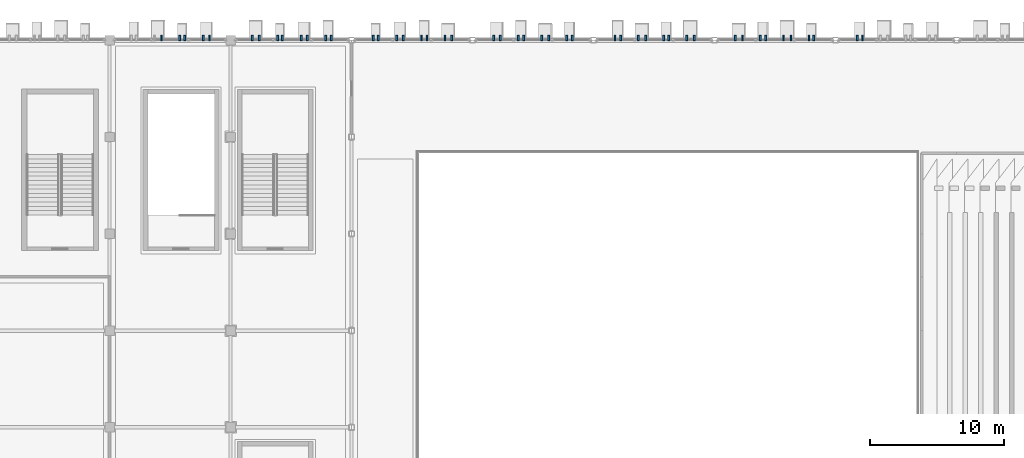
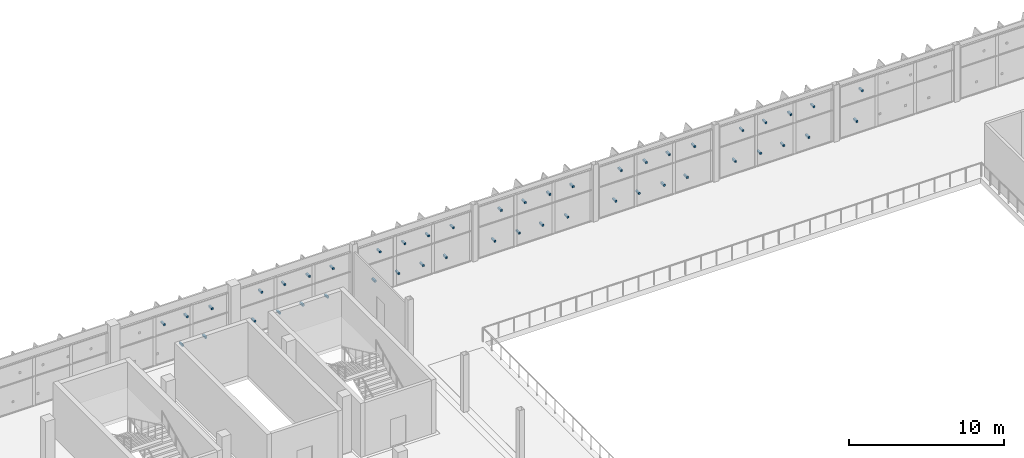
# One storey, part 127 of 151: 47 discrete accessories.
"""IFC4 building model written with IfcOpenShell, lengths in metres."""

from ifc_helpers import new_model, si_unit, direction, frame, origin, origin_2d, place, context, subcontext, project, spatial, rectangle, extrude, material, type_object, element, save


model = new_model("IFC4")

# Units and contexts
model_context = context("Model", 3, precision=1e-05, world=origin(), true_north=direction((0.0, 1.0)))
body_context = subcontext(model_context, "Body", "Model", "MODEL_VIEW")
ifc_project = project(units=[si_unit("LENGTHUNIT", "METRE"), si_unit("AREAUNIT", "SQUARE_METRE"), si_unit("VOLUMEUNIT", "CUBIC_METRE"), si_unit("PLANEANGLEUNIT", "RADIAN"), si_unit("MASSUNIT", "GRAM", prefix="KILO")], contexts=[model_context])

# Site, building, storey
site_placement = place(None, origin())
site = spatial("IfcSite", under=ifc_project, at=site_placement, CompositionType="ELEMENT")
building_placement = place(site_placement, origin())
building = spatial("IfcBuilding", under=site, at=building_placement, Name="Celestram Park Convention Centre", CompositionType="ELEMENT")
storey_placement = place(building_placement, frame((0.0, 0.0, 10.800048828125)))
storey = spatial("IfcBuildingStorey", under=building, at=storey_placement, Name="L02", CompositionType="ELEMENT", Elevation=10.800048828125)

# Discrete accessories
ifc_material = material(Name="Steel ASTM A500 Grade C", Category="steel")
discrete_accessory_type = type_object("IfcDiscreteAccessoryType", Name="ARC-BRK-OUT400", PredefinedType="BRACKET", material=ifc_material)
for number, where, z_axis, x_axis, name in (
    (1, (138.859375, 165.75, 2.93310546875), (0.0, 0.0, 1.0), (0.0, 1.0, 0.0), "Solar fin outrigger bracket BK-L02-0994"),
    (2, (140.22607421875, 165.75, 0.8037109375), (0.0, 0.0, 1.0), (0.0, 1.0, 0.0), "Solar fin outrigger bracket BK-L02-0995"),
    (3, (140.573974609375, 165.75, 2.95068359375), (0.0, 0.0, 1.0), (0.0, 1.0, 0.0), "Solar fin outrigger bracket BK-L02-0996"),
    (4, (141.971923828125, 165.75, 0.8134765625), (0.0, 0.0, 1.0), (0.0, 1.0, 0.0), "Solar fin outrigger bracket BK-L02-0997"),
    (5, (142.427978515625, 165.75, 2.9404296875), (0.0, 0.0, 1.0), (0.0, 1.0, 0.0), "Solar fin outrigger bracket BK-L02-0998"),
    (6, (145.615478515625, 165.75, 0.82080078125), (0.0, 0.0, 1.0), (0.0, 1.0, 0.0), "Solar fin outrigger bracket BK-L02-0999"),
    (7, (146.134521484375, 165.75, 2.93310546875), (0.0, 0.0, 1.0), (0.0, 1.0, 0.0), "Solar fin outrigger bracket BK-L02-1000"),
    (8, (147.501220703125, 165.75, 0.8037109375), (0.0, 0.0, 1.0), (0.0, 1.0, 0.0), "Solar fin outrigger bracket BK-L02-1001"),
    (9, (147.848876953125, 165.75, 2.95068359375), (0.0, 0.0, 1.0), (0.0, 1.0, 0.0), "Solar fin outrigger bracket BK-L02-1002"),
    (10, (149.2470703125, 165.75, 0.8134765625), (0.0, 0.0, 1.0), (0.0, 1.0, 0.0), "Solar fin outrigger bracket BK-L02-1003"),
    (11, (149.702880859375, 165.75, 2.9404296875), (0.0, 0.0, 1.0), (0.0, 1.0, 0.0), "Solar fin outrigger bracket BK-L02-1004"),
    (12, (151.07861328125, 165.75, 0.80712890625), (0.0, 0.0, 1.0), (0.0, 1.0, 0.0), "Solar fin outrigger bracket BK-L02-1005"),
    (13, (151.47119140625, 165.75, 2.94677734375), (0.0, 0.0, 1.0), (0.0, 1.0, 0.0), "Solar fin outrigger bracket BK-L02-1006"),
    (14, (154.621337890625, 165.75, 0.8271484375), (0.0, 0.0, 1.0), (0.0, 1.0, 0.0), "Solar fin outrigger bracket BK-L02-1007"),
    (15, (154.978515625, 165.75, 3.03271484375), (0.0, 0.0, 1.0), (0.0, 1.0, 0.0), "Solar fin outrigger bracket BK-L02-1008"),
    (16, (156.36572265625, 165.75, 0.83740234375), (0.0, 0.0, 1.0), (0.0, 1.0, 0.0), "Solar fin outrigger bracket BK-L02-1009"),
    (17, (156.834228515625, 165.75, 3.0224609375), (0.0, 0.0, 1.0), (0.0, 1.0, 0.0), "Solar fin outrigger bracket BK-L02-1010"),
    (18, (158.1982421875, 165.75, 0.8310546875), (0.0, 0.0, 1.0), (0.0, 1.0, 0.0), "Solar fin outrigger bracket BK-L02-1011"),
    (19, (158.601806640625, 165.75, 3.02880859375), (0.0, 0.0, 1.0), (0.0, 1.0, 0.0), "Solar fin outrigger bracket BK-L02-1012"),
    (20, (159.941162109375, 165.75, 0.84326171875), (0.0, 0.0, 1.0), (0.0, 1.0, 0.0), "Solar fin outrigger bracket BK-L02-1013"),
    (21, (160.458984375, 165.75, 3.0166015625), (0.0, 0.0, 1.0), (0.0, 1.0, 0.0), "Solar fin outrigger bracket BK-L02-1014"),
    (22, (163.557373046875, 165.75, 0.8701171875), (0.0, 0.0, 1.0), (0.0, 1.0, 0.0), "Solar fin outrigger bracket BK-L02-1015"),
    (23, (164.04248046875, 165.75, 3.1337890625), (0.0, 0.0, 1.0), (0.0, 1.0, 0.0), "Solar fin outrigger bracket BK-L02-1016"),
    (24, (165.39111328125, 165.75, 0.86328125), (0.0, 0.0, 1.0), (0.0, 1.0, 0.0), "Solar fin outrigger bracket BK-L02-1017"),
    (25, (165.80908203125, 165.75, 3.140625), (0.0, 0.0, 1.0), (0.0, 1.0, 0.0), "Solar fin outrigger bracket BK-L02-1018"),
    (26, (167.131591796875, 165.75, 0.8759765625), (0.0, 0.0, 1.0), (0.0, 1.0, 0.0), "Solar fin outrigger bracket BK-L02-1019"),
    (27, (167.668212890625, 165.75, 3.1279296875), (0.0, 0.0, 1.0), (0.0, 1.0, 0.0), "Solar fin outrigger bracket BK-L02-1020"),
    (28, (169.0029296875, 165.75, 0.861328125), (0.0, 0.0, 1.0), (0.0, 1.0, 0.0), "Solar fin outrigger bracket BK-L02-1021"),
    (29, (169.39697265625, 165.75, 3.142578125), (0.0, 0.0, 1.0), (0.0, 1.0, 0.0), "Solar fin outrigger bracket BK-L02-1022"),
    (30, (172.591064453125, 165.75, 0.86328125), (0.0, 0.0, 1.0), (0.0, 1.0, 0.0), "Solar fin outrigger bracket BK-L02-1023"),
    (31, (173.009033203125, 165.75, 3.140625), (0.0, 0.0, 1.0), (0.0, 1.0, 0.0), "Solar fin outrigger bracket BK-L02-1024"),
    (32, (174.331787109375, 165.75, 0.8759765625), (0.0, 0.0, 1.0), (0.0, 1.0, 0.0), "Solar fin outrigger bracket BK-L02-1025"),
    (33, (174.868408203125, 165.75, 3.1279296875), (0.0, 0.0, 1.0), (0.0, 1.0, 0.0), "Solar fin outrigger bracket BK-L02-1026"),
    (34, (176.202880859375, 165.75, 0.861328125), (0.0, 0.0, 1.0), (0.0, 1.0, 0.0), "Solar fin outrigger bracket BK-L02-1027"),
    (35, (176.596923828125, 165.75, 3.142578125), (0.0, 0.0, 1.0), (0.0, 1.0, 0.0), "Solar fin outrigger bracket BK-L02-1028"),
    (36, (177.923828125, 165.75, 0.8779296875), (0.0, 0.0, 1.0), (0.0, 1.0, 0.0), "Solar fin outrigger bracket BK-L02-1029"),
    (37, (178.47607421875, 165.75, 3.1259765625), (0.0, 0.0, 1.0), (0.0, 1.0, 0.0), "Solar fin outrigger bracket BK-L02-1030"),
    (38, (181.53173828125, 165.75, 0.8759765625), (0.0, 0.0, 1.0), (0.0, 1.0, 0.0), "Solar fin outrigger bracket BK-L02-1031"),
    (39, (182.068359375, 165.75, 3.1279296875), (0.0, 0.0, 1.0), (0.0, 1.0, 0.0), "Solar fin outrigger bracket BK-L02-1032"),
    (40, (183.403076171875, 165.75, 0.861328125), (0.0, 0.0, 1.0), (0.0, 1.0, 0.0), "Solar fin outrigger bracket BK-L02-1033"),
    (41, (183.797119140625, 165.75, 3.142578125), (0.0, 0.0, 1.0), (0.0, 1.0, 0.0), "Solar fin outrigger bracket BK-L02-1034"),
    (42, (185.123779296875, 165.75, 0.8779296875), (0.0, 0.0, 1.0), (0.0, 1.0, 0.0), "Solar fin outrigger bracket BK-L02-1035"),
    (43, (185.676025390625, 165.75, 3.1259765625), (0.0, 0.0, 1.0), (0.0, 1.0, 0.0), "Solar fin outrigger bracket BK-L02-1036"),
    (44, (187.014892578125, 165.75, 0.859375), (0.0, 0.0, 1.0), (0.0, 1.0, 0.0), "Solar fin outrigger bracket BK-L02-1037"),
    (45, (187.385009765625, 165.75, 3.14453125), (0.0, 0.0, 1.0), (0.0, 1.0, 0.0), "Solar fin outrigger bracket BK-L02-1038"),
    (46, (190.60302734375, 165.75, 0.861328125), (0.0, 0.0, 1.0), (0.0, 1.0, 0.0), "Solar fin outrigger bracket BK-L02-1039"),
    (47, (190.9970703125, 165.75, 3.142578125), (0.0, 0.0, 1.0), (0.0, 1.0, 0.0), "Solar fin outrigger bracket BK-L02-1040"),
):
    element("IfcDiscreteAccessory", number, at=place(storey_placement, frame(where, z_axis=z_axis, x_axis=x_axis)), inside=storey, type_object=discrete_accessory_type, Name=name, PredefinedType="BRACKET", context=body_context, shape_type="SweptSolid", body=[
        extrude(rectangle(XDim=0.39990234375, YDim=0.139892578125, at=origin_2d()), origin(), (0.0, 0.0, 1.0), 0.139892578125),
    ])

save(model, "model.ifc")
